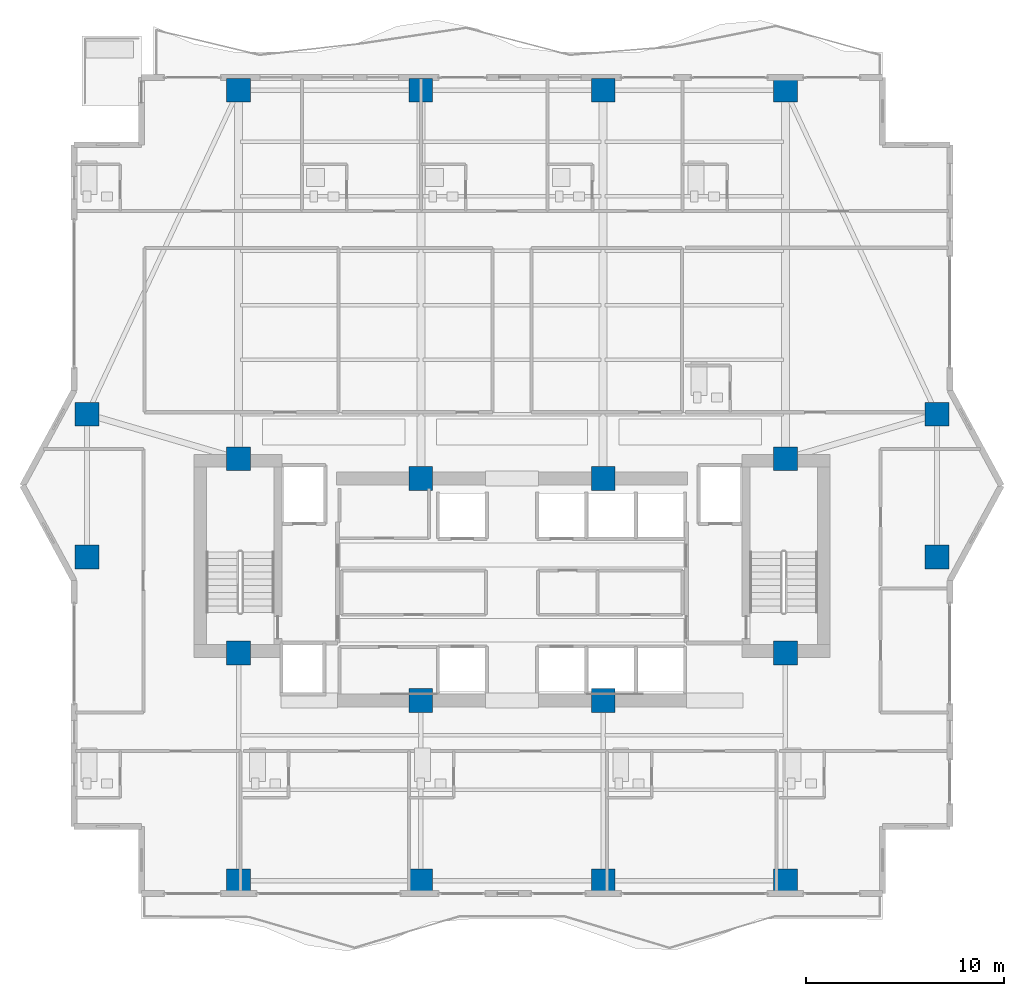
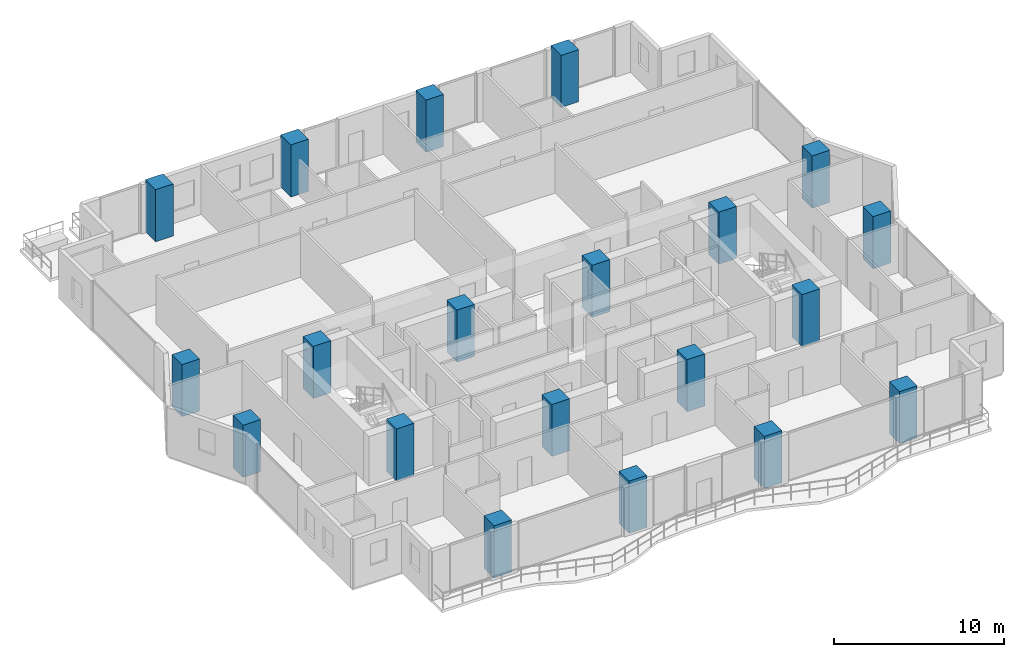
# One storey, part 1 of 32: 20 columns.
"""IFC4 building model written with IfcOpenShell, lengths in metres."""

from ifc_helpers import new_model, si_unit, direction, frame, origin, origin_2d, place, context, subcontext, project, spatial, rectangle, extrude, material, material_profile, profile_set, type_object, element, save


model = new_model("IFC4")

# Units and contexts
model_context = context("Model", 3, precision=1e-05, world=origin(), true_north=direction((0.0, 1.0)))
body_context = subcontext(model_context, "Body", "Model", "MODEL_VIEW")
ifc_project = project(units=[si_unit("LENGTHUNIT", "METRE"), si_unit("AREAUNIT", "SQUARE_METRE"), si_unit("VOLUMEUNIT", "CUBIC_METRE"), si_unit("PLANEANGLEUNIT", "RADIAN"), si_unit("MASSUNIT", "GRAM", prefix="KILO")], contexts=[model_context])

# Site, building, storey
site_placement = place(None, origin())
site = spatial("IfcSite", under=ifc_project, at=site_placement, CompositionType="ELEMENT")
building_placement = place(site_placement, origin())
building = spatial("IfcBuilding", under=site, at=building_placement, Name="Zuhayl Quay Hotel", CompositionType="ELEMENT")
storey_placement = place(building_placement, frame((0.0, 0.0, 184.89990234375)))
storey = spatial("IfcBuildingStorey", under=building, at=storey_placement, Name="L46", CompositionType="ELEMENT", Elevation=184.89990234375)

# Columns
ifc_material = material(Name="Concrete C60/75", Category="concrete")
ifc_material_profile_1 = material_profile(ifc_material, rectangle(XDim=1.199951171875, YDim=1.199951171875, at=origin_2d()), Name="RC1200X1200")
ifc_profile_set_1 = profile_set([ifc_material_profile_1], Name="Concrete C60/75")
column_type_1 = type_object("IfcColumnType", Name="CL_CC2_1200", PredefinedType="COLUMN", material=ifc_profile_set_1)
for number, where, z_axis, x_axis, name in (
    (1, (-13.800048828125, 14.35009765625, 0.0), (0.0, 0.0, 1.0), (1.0, 0.0, 0.0), "L46 Core Column CC_NW"),
    (2, (-4.60009765625, 13.35009765625, 0.0), (0.0, 0.0, 1.0), (1.0, 0.0, 0.0), "L46 Core Column CC_CNW"),
    (3, (4.60009765625, 13.35009765625, 0.0), (0.0, 0.0, 1.0), (1.0, 0.0, 0.0), "L46 Core Column CC_CNE"),
    (4, (13.800048828125, 14.35009765625, 0.0), (0.0, 0.0, 1.0), (1.0, 0.0, 0.0), "L46 Core Column CC_NE"),
    (5, (-13.800048828125, 4.550048828125, 0.0), (0.0, 0.0, 1.0), (1.0, 0.0, 0.0), "L46 Core Column CC_SW"),
    (6, (-4.60009765625, 2.14990234375, 0.0), (0.0, 0.0, 1.0), (1.0, 0.0, 0.0), "L46 Core Column CC_CSW"),
    (7, (4.60009765625, 2.14990234375, 0.0), (0.0, 0.0, 1.0), (1.0, 0.0, 0.0), "L46 Core Column CC_CSE"),
    (8, (13.800048828125, 4.550048828125, 0.0), (0.0, 0.0, 1.0), (1.0, 0.0, 0.0), "L46 Core Column CC_SE"),
):
    element("IfcColumn", number, at=place(storey_placement, frame(where, z_axis=z_axis, x_axis=x_axis)), inside=storey, type_object=column_type_1, Name=name, PredefinedType="COLUMN", context=body_context, shape_type="SweptSolid", body=[
        extrude(rectangle(XDim=1.199951171875, YDim=1.199951171875, at=origin_2d()), origin(), (0.0, 0.0, 1.0), 3.75),
    ])
ifc_material_profile_2 = material_profile(ifc_material, rectangle(XDim=1.199951171875, YDim=1.199951171875, at=origin_2d()), Name="RC1200X1200")
ifc_profile_set_2 = profile_set([ifc_material_profile_2], Name="Concrete C60/75")
column_type_2 = type_object("IfcColumnType", Name="CL_MC3_1200", PredefinedType="COLUMN", material=ifc_profile_set_2)
for number, where, z_axis, x_axis, name in (
    (9, (-13.800048828125, -6.949951171875, 0.0), (0.0, 0.0, 1.0), (1.0, 0.0, 0.0), "L46 Mega-Column MC_S1"),
    (10, (-4.60009765625, -6.949951171875, 0.0), (0.0, 0.0, 1.0), (1.0, 0.0, 0.0), "L46 Mega-Column MC_S2"),
    (11, (4.60009765625, -6.949951171875, 0.0), (0.0, 0.0, 1.0), (1.0, 0.0, 0.0), "L46 Mega-Column MC_S3"),
    (12, (13.800048828125, -6.949951171875, 0.0), (0.0, 0.0, 1.0), (1.0, 0.0, 0.0), "L46 Mega-Column MC_S4"),
    (13, (-13.800048828125, 32.949951171875, 0.0), (0.0, 0.0, 1.0), (1.0, 0.0, 0.0), "L46 Mega-Column MC_N1"),
    (14, (-4.60009765625, 32.949951171875, 0.0), (0.0, 0.0, 1.0), (1.0, 0.0, 0.0), "L46 Mega-Column MC_N2"),
    (15, (4.60009765625, 32.949951171875, 0.0), (0.0, 0.0, 1.0), (1.0, 0.0, 0.0), "L46 Mega-Column MC_N3"),
    (16, (13.800048828125, 32.949951171875, 0.0), (0.0, 0.0, 1.0), (1.0, 0.0, 0.0), "L46 Mega-Column MC_N4"),
    (17, (-21.449951171875, 9.39990234375, 0.0), (0.0, 0.0, 1.0), (1.0, 0.0, 0.0), "L46 Mega-Column MC_W1"),
    (18, (-21.449951171875, 16.60009765625, 0.0), (0.0, 0.0, 1.0), (1.0, 0.0, 0.0), "L46 Mega-Column MC_W2"),
    (19, (21.449951171875, 9.39990234375, 0.0), (0.0, 0.0, 1.0), (1.0, 0.0, 0.0), "L46 Mega-Column MC_E1"),
    (20, (21.449951171875, 16.60009765625, 0.0), (0.0, 0.0, 1.0), (1.0, 0.0, 0.0), "L46 Mega-Column MC_E2"),
):
    element("IfcColumn", number, at=place(storey_placement, frame(where, z_axis=z_axis, x_axis=x_axis)), inside=storey, type_object=column_type_2, Name=name, PredefinedType="COLUMN", context=body_context, shape_type="SweptSolid", body=[
        extrude(rectangle(XDim=1.199951171875, YDim=1.199951171875, at=origin_2d()), origin(), (0.0, 0.0, 1.0), 3.75),
    ])

save(model, "model.ifc")
